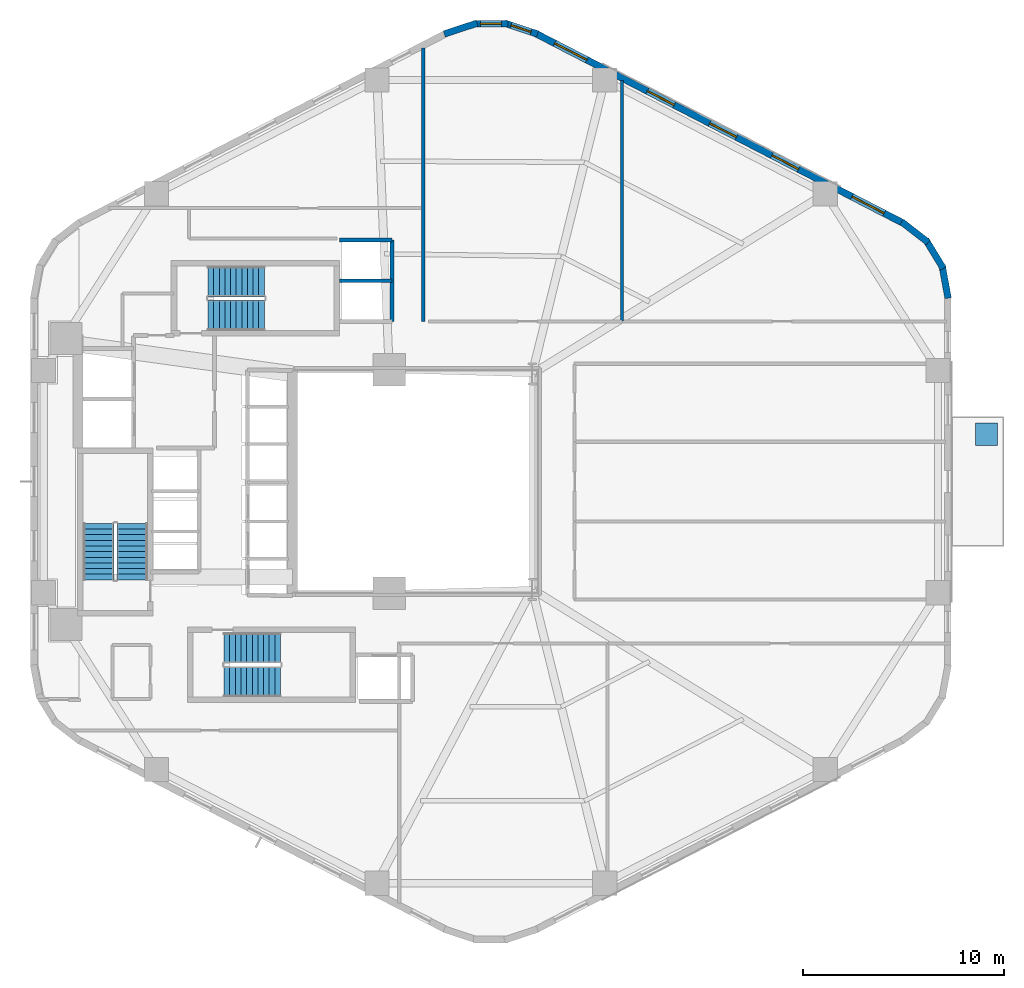
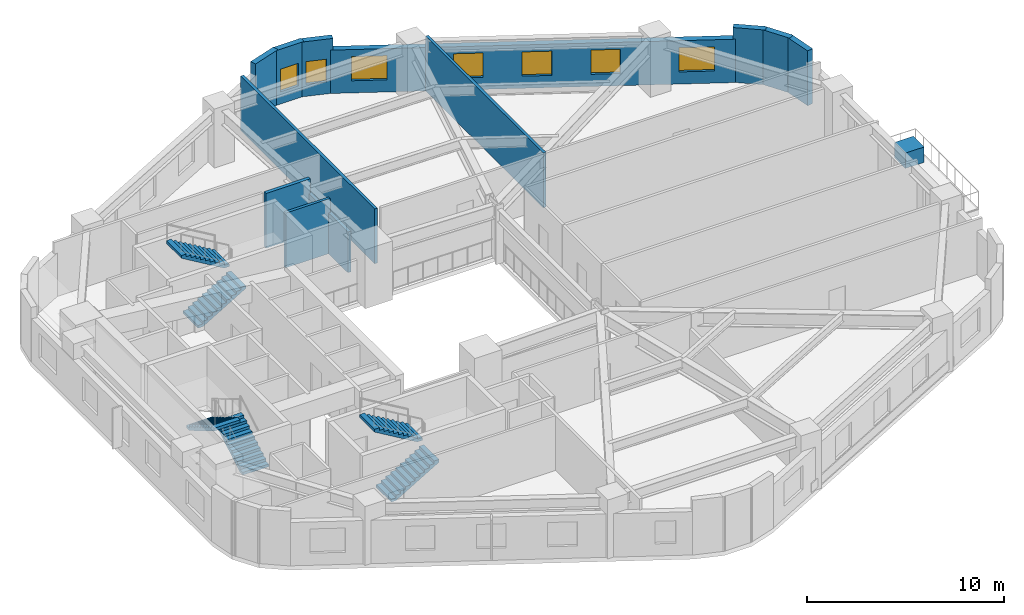
# One storey, part 5 of 7: 12 walls, 7 windows, 6 stair flights, 1 discrete accessory, 7 openings, 3 elements without a shape of their own.
"""IFC4 building model written with IfcOpenShell, lengths in metres."""

from ifc_helpers import new_model, si_unit, direction, frame, frame_2d, origin, origin_2d, place, context, subcontext, project, spatial, polyline, rectangle, outline, extrude, material, layer, layer_set, type_object, element, fill, aggregate, save


model = new_model("IFC4")

# Units and contexts
model_context = context("Model", 3, precision=1e-05, world=origin(), true_north=direction((0.0, 1.0)))
body_context = subcontext(model_context, "Body", "Model", "MODEL_VIEW")
ifc_project = project(units=[si_unit("LENGTHUNIT", "METRE"), si_unit("AREAUNIT", "SQUARE_METRE"), si_unit("VOLUMEUNIT", "CUBIC_METRE"), si_unit("PLANEANGLEUNIT", "RADIAN"), si_unit("MASSUNIT", "GRAM", prefix="KILO"), si_unit("THERMODYNAMICTEMPERATUREUNIT", "KELVIN"), si_unit("POWERUNIT", "WATT")], contexts=[model_context])

# Site, building, storey
site_placement = place(None, origin())
site = spatial("IfcSite", under=ifc_project, at=site_placement, CompositionType="ELEMENT")
building_placement = place(site_placement, origin())
building = spatial("IfcBuilding", under=site, at=building_placement, Name="Skarre Station Tower", CompositionType="ELEMENT")
storey_placement = place(building_placement, frame((0.0, 0.0, 70.800048828125)))
storey = spatial("IfcBuildingStorey", under=building, at=storey_placement, Name="L18", CompositionType="ELEMENT", Elevation=70.800048828125)

# Wall, openings, windows
ifc_material_1 = material(Name="Precast concrete C45/55", Category="concrete")
ifc_layer_1 = layer(ifc_material_1, 0.340087890625, Name="Precast concrete C45/55")
ifc_layer_set_1 = layer_set([ifc_layer_1], Name="Precast concrete C45/55")
wall_type_1 = type_object("IfcWallType", Name="Nordic Honed Precast Facet Wall 340", PredefinedType="STANDARD", material=ifc_layer_set_1)
wall_1_placement = place(storey_placement, frame((39.631103515625, 46.257080078125, 0.0), z_axis=(0.0, 0.0, 1.0), x_axis=(0.888634413993, -0.458616264721, 0.0)))
wall_1 = element("IfcWall", 1, at=wall_1_placement, inside=storey, type_object=wall_type_1, Name="L18 Facet 0 Nordic Precast Masonry Wall", PredefinedType="STANDARD", context=body_context, shape_type="SweptSolid", body=[
    extrude(rectangle(XDim=20.53125, YDim=0.340087890625, at=frame_2d((10.265625, 0.0))), origin(), (0.0, 0.0, 1.0), 2.683837890625),
])
opening_1_placement = place(wall_1_placement, frame((1.05810546875, 0.0, 0.75)))
opening_1 = element("IfcOpeningElement", 2, at=opening_1_placement, cuts=wall_1, Name="Opening WN-Z1A", PredefinedType="OPENING", context=body_context, shape_type="SweptSolid", body=[
    extrude(rectangle(XDim=1.800048828125, YDim=1.5, at=frame_2d((0.89990234375, 0.75))), frame((0.0, 0.179931640625, 0.0), z_axis=(0.0, -1.0, 0.0), x_axis=(1.0, 0.0, 0.0)), (0.0, 0.0, 1.0), 0.360107421875),
])
opening_2_placement = place(wall_1_placement, frame((6.236083984375, 0.0, 0.75)))
opening_2 = element("IfcOpeningElement", 3, at=opening_2_placement, cuts=wall_1, Name="Opening WN-Z1B", PredefinedType="OPENING", context=body_context, shape_type="SweptSolid", body=[
    extrude(rectangle(XDim=1.5, YDim=1.5, at=frame_2d((0.75, 0.75))), frame((0.0, 0.179931640625, 0.0), z_axis=(0.0, -1.0, 0.0), x_axis=(1.0, 0.0, 0.0)), (0.0, 0.0, 1.0), 0.360107421875),
])
opening_3_placement = place(wall_1_placement, frame((9.716064453125, 0.0, 0.75)))
opening_3 = element("IfcOpeningElement", 4, at=opening_3_placement, cuts=wall_1, Name="Opening WN-Z1B", PredefinedType="OPENING", context=body_context, shape_type="SweptSolid", body=[
    extrude(rectangle(XDim=1.5, YDim=1.5, at=frame_2d((0.75, 0.75))), frame((0.0, 0.179931640625, 0.0), z_axis=(0.0, -1.0, 0.0), x_axis=(1.0, 0.0, 0.0)), (0.0, 0.0, 1.0), 0.360107421875),
])
opening_4_placement = place(wall_1_placement, frame((13.195068359375, 0.0, 0.75)))
opening_4 = element("IfcOpeningElement", 5, at=opening_4_placement, cuts=wall_1, Name="Opening WN-Z1B", PredefinedType="OPENING", context=body_context, shape_type="SweptSolid", body=[
    extrude(rectangle(XDim=1.5, YDim=1.5, at=frame_2d((0.75, 0.75))), frame((0.0, 0.179931640625, 0.0), z_axis=(0.0, -1.0, 0.0), x_axis=(1.0, 0.0, 0.0)), (0.0, 0.0, 1.0), 0.360107421875),
])
opening_5_placement = place(wall_1_placement, frame((17.673095703125, 0.0, 0.75)))
opening_5 = element("IfcOpeningElement", 6, at=opening_5_placement, cuts=wall_1, Name="Opening WN-Z1A", PredefinedType="OPENING", context=body_context, shape_type="SweptSolid", body=[
    extrude(rectangle(XDim=1.800048828125, YDim=1.5, at=frame_2d((0.89990234375, 0.75))), frame((0.0, 0.179931640625, 0.0), z_axis=(0.0, -1.0, 0.0), x_axis=(1.0, 0.0, 0.0)), (0.0, 0.0, 1.0), 0.360107421875),
])
ifc_material_2 = material(Name="Low-Iron Triple Glazing with Bronze Anodized Frame", Category="glass")
window_type_1 = type_object("IfcWindowType", Name="Nordic Punched Triple-Glazed Window 1500x1500", PartitioningType="SINGLE_PANEL", PredefinedType="WINDOW", material=ifc_material_2)
window_1_placement = place(opening_2_placement, origin())
window_1 = element("IfcWindow", 7, at=window_1_placement, inside=storey, type_object=window_type_1, Name="L18 Facade Window WL-FAC-L18-F0-2", OverallHeight=1.5, OverallWidth=1.5, PartitioningType="SINGLE_PANEL", PredefinedType="WINDOW", context=body_context, shape_type="SweptSolid", body=[
    extrude(rectangle(XDim=1.5, YDim=1.5, at=frame_2d((0.75, 0.75))), frame((0.0, 0.030029296875, 0.0), z_axis=(0.0, -1.0, 0.0), x_axis=(1.0, 0.0, 0.0)), (0.0, 0.0, 1.0), 0.06005859375),
])
fill(opening_2, window_1)
window_2_placement = place(opening_3_placement, origin())
window_2 = element("IfcWindow", 8, at=window_2_placement, inside=storey, type_object=window_type_1, Name="L18 Facade Window WL-FAC-L18-F0-3", OverallHeight=1.5, OverallWidth=1.5, PartitioningType="SINGLE_PANEL", PredefinedType="WINDOW", context=body_context, shape_type="SweptSolid", body=[
    extrude(rectangle(XDim=1.5, YDim=1.5, at=frame_2d((0.75, 0.75))), frame((0.0, 0.030029296875, 0.0), z_axis=(0.0, -1.0, 0.0), x_axis=(1.0, 0.0, 0.0)), (0.0, 0.0, 1.0), 0.06005859375),
])
fill(opening_3, window_2)
window_3_placement = place(opening_4_placement, origin())
window_3 = element("IfcWindow", 9, at=window_3_placement, inside=storey, type_object=window_type_1, Name="L18 Facade Window WL-FAC-L18-F0-4", OverallHeight=1.5, OverallWidth=1.5, PartitioningType="SINGLE_PANEL", PredefinedType="WINDOW", context=body_context, shape_type="SweptSolid", body=[
    extrude(rectangle(XDim=1.5, YDim=1.5, at=frame_2d((0.75, 0.75))), frame((0.0, 0.030029296875, 0.0), z_axis=(0.0, -1.0, 0.0), x_axis=(1.0, 0.0, 0.0)), (0.0, 0.0, 1.0), 0.06005859375),
])
fill(opening_4, window_3)
window_type_2 = type_object("IfcWindowType", Name="Nordic Punched Triple-Glazed Window 1800x1500", PartitioningType="SINGLE_PANEL", PredefinedType="WINDOW", material=ifc_material_2)
window_4_placement = place(opening_1_placement, origin())
window_4 = element("IfcWindow", 10, at=window_4_placement, inside=storey, type_object=window_type_2, Name="L18 Facade Window WL-FAC-L18-F0-1", OverallHeight=1.5, OverallWidth=1.800048828125, PartitioningType="SINGLE_PANEL", PredefinedType="WINDOW", context=body_context, shape_type="SweptSolid", body=[
    extrude(rectangle(XDim=1.800048828125, YDim=1.5, at=frame_2d((0.89990234375, 0.75))), frame((0.0, 0.030029296875, 0.0), z_axis=(0.0, -1.0, 0.0), x_axis=(1.0, 0.0, 0.0)), (0.0, 0.0, 1.0), 0.06005859375),
])
fill(opening_1, window_4)
window_5_placement = place(opening_5_placement, origin())
window_5 = element("IfcWindow", 11, at=window_5_placement, inside=storey, type_object=window_type_2, Name="L18 Facade Window WL-FAC-L18-F0-5", OverallHeight=1.5, OverallWidth=1.800048828125, PartitioningType="SINGLE_PANEL", PredefinedType="WINDOW", context=body_context, shape_type="SweptSolid", body=[
    extrude(rectangle(XDim=1.800048828125, YDim=1.5, at=frame_2d((0.89990234375, 0.75))), frame((0.0, 0.030029296875, 0.0), z_axis=(0.0, -1.0, 0.0), x_axis=(1.0, 0.0, 0.0)), (0.0, 0.0, 1.0), 0.06005859375),
])
fill(opening_5, window_5)

# Walls
ifc_layer_2 = layer(ifc_material_1, 0.330078125, Name="Precast concrete C45/55")
ifc_layer_set_2 = layer_set([ifc_layer_2], Name="Precast concrete C45/55")
wall_type_2 = type_object("IfcWallType", Name="Nordic Rounded Corner Precast Wall 330", PredefinedType="STANDARD", material=ifc_layer_set_2)
wall_2_placement = place(storey_placement, frame((57.802001953125, 36.90087890625, 0.0), z_axis=(0.0, 0.0, 1.0), x_axis=(0.790691856293, -0.61221433207, 0.0)))
element("IfcWall", 12, at=wall_2_placement, inside=storey, type_object=wall_type_2, Name="L18 Rounded Corner Precast Wall F0-1", PredefinedType="STANDARD", context=body_context, shape_type="SweptSolid", body=[
    extrude(rectangle(XDim=1.67578125, YDim=0.330078125, at=frame_2d((0.837890625, 0.0))), origin(), (0.0, 0.0, 1.0), 3.389892578125),
])
wall_3_placement = place(storey_placement, frame((59.001953125, 36.014892578125, 0.0), z_axis=(0.0, 0.0, 1.0), x_axis=(0.520584129191, -0.853810379671, 0.0)))
element("IfcWall", 13, at=wall_3_placement, inside=storey, type_object=wall_type_2, Name="L18 Rounded Corner Precast Wall F0-2", PredefinedType="STANDARD", context=body_context, shape_type="SweptSolid", body=[
    extrude(rectangle(XDim=1.677001953125, YDim=0.330078125, at=frame_2d((0.83837890625, 0.0))), origin(), (0.0, 0.0, 1.0), 3.389892578125),
])
wall_4_placement = place(storey_placement, frame((59.80810546875, 34.758056640625, 0.0), z_axis=(0.0, 0.0, 1.0), x_axis=(0.181714143354, -0.983351397063, 0.0)))
element("IfcWall", 14, at=wall_4_placement, inside=storey, type_object=wall_type_2, Name="L18 Rounded Corner Precast Wall F0-3", PredefinedType="STANDARD", context=body_context, shape_type="SweptSolid", body=[
    extrude(rectangle(XDim=1.677978515625, YDim=0.330078125, at=frame_2d((0.8388671875, 0.0))), origin(), (0.0, 0.0, 1.0), 3.389892578125),
])
wall_5_placement = place(storey_placement, frame((35.0810546875, 46.23095703125, 0.0), z_axis=(0.0, 0.0, 1.0), x_axis=(0.94976901097, 0.312951794691, 0.0)))
element("IfcWall", 15, at=wall_5_placement, inside=storey, type_object=wall_type_2, Name="L18 Rounded Corner Precast Wall F1-1", PredefinedType="STANDARD", context=body_context, shape_type="SweptSolid", body=[
    extrude(rectangle(XDim=1.722412109375, YDim=0.330078125, at=frame_2d((0.861328125, 0.0))), origin(), (0.0, 0.0, 1.0), 3.389892578125),
])

# Wall, opening, window
wall_6_placement = place(storey_placement, frame((36.5390625, 46.740966796875, 0.0), z_axis=(0.0, 0.0, 1.0), x_axis=(1.0, 0.0, 0.0)))
wall_6 = element("IfcWall", 16, at=wall_6_placement, inside=storey, type_object=wall_type_2, Name="L18 Rounded Corner Precast Wall F1-2", PredefinedType="STANDARD", context=body_context, shape_type="SweptSolid", body=[
    extrude(rectangle(XDim=1.721923828125, YDim=0.330078125, at=frame_2d((0.86083984375, 0.0))), origin(), (0.0, 0.0, 1.0), 3.389892578125),
])
opening_6_placement = place(wall_6_placement, frame((0.3359375, 0.0, 0.75)))
opening_6 = element("IfcOpeningElement", 17, at=opening_6_placement, cuts=wall_6, Name="Opening WN-SLT", PredefinedType="OPENING", context=body_context, shape_type="SweptSolid", body=[
    extrude(rectangle(XDim=1.050048828125, YDim=1.39990234375, at=frame_2d((0.52490234375, 0.699951171875))), frame((0.0, 0.175048828125, 0.0), z_axis=(0.0, -1.0, 0.0), x_axis=(1.0, 0.0, 0.0)), (0.0, 0.0, 1.0), 0.35009765625),
])
window_type_3 = type_object("IfcWindowType", Name="Nordic Corner Slot Window 1050x1400", PartitioningType="SINGLE_PANEL", PredefinedType="WINDOW", material=ifc_material_2)
window_6_placement = place(opening_6_placement, origin())
window_6 = element("IfcWindow", 18, at=window_6_placement, inside=storey, type_object=window_type_3, Name="L18 Apex Corner Slot Window F1-2", OverallHeight=1.39990234375, OverallWidth=1.050048828125, PartitioningType="SINGLE_PANEL", PredefinedType="WINDOW", context=body_context, shape_type="SweptSolid", body=[
    extrude(rectangle(XDim=1.050048828125, YDim=1.39990234375, at=frame_2d((0.52490234375, 0.699951171875))), frame((0.0, 0.030029296875, 0.0), z_axis=(0.0, -1.0, 0.0), x_axis=(1.0, 0.0, 0.0)), (0.0, 0.0, 1.0), 0.06005859375),
])
fill(opening_6, window_6)

wall_7_placement = place(storey_placement, frame((38.0830078125, 46.77001953125, 0.0), z_axis=(0.0, 0.0, 1.0), x_axis=(0.94976901097, -0.312951794691, 0.0)))
wall_7 = element("IfcWall", 19, at=wall_7_placement, inside=storey, type_object=wall_type_2, Name="L18 Rounded Corner Precast Wall F1-3", PredefinedType="STANDARD", context=body_context, shape_type="SweptSolid", body=[
    extrude(rectangle(XDim=1.722412109375, YDim=0.330078125, at=frame_2d((0.861328125, 0.0))), origin(), (0.0, 0.0, 1.0), 3.389892578125),
])
opening_7_placement = place(wall_7_placement, frame((0.3359375, 0.0, 0.75)))
opening_7 = element("IfcOpeningElement", 20, at=opening_7_placement, cuts=wall_7, Name="Opening WN-SLT", PredefinedType="OPENING", context=body_context, shape_type="SweptSolid", body=[
    extrude(rectangle(XDim=1.050048828125, YDim=1.39990234375, at=frame_2d((0.52490234375, 0.699951171875))), frame((0.0, 0.175048828125, 0.0), z_axis=(0.0, -1.0, 0.0), x_axis=(1.0, 0.0, 0.0)), (0.0, 0.0, 1.0), 0.35009765625),
])
window_7_placement = place(opening_7_placement, origin())
window_7 = element("IfcWindow", 21, at=window_7_placement, inside=storey, type_object=window_type_3, Name="L18 Apex Corner Slot Window F1-3", OverallHeight=1.39990234375, OverallWidth=1.050048828125, PartitioningType="SINGLE_PANEL", PredefinedType="WINDOW", context=body_context, shape_type="SweptSolid", body=[
    extrude(rectangle(XDim=1.050048828125, YDim=1.39990234375, at=frame_2d((0.52490234375, 0.699951171875))), frame((0.0, 0.030029296875, 0.0), z_axis=(0.0, -1.0, 0.0), x_axis=(1.0, 0.0, 0.0)), (0.0, 0.0, 1.0), 0.06005859375),
])
fill(opening_7, window_7)

# Walls
ifc_material_3 = material(Name="Gypsum Concrete Shaft Assembly C30/37", Category="concrete")
ifc_layer_3 = layer(ifc_material_3, 0.199951171875, Name="Gypsum Concrete Shaft Assembly C30/37")
ifc_layer_set_3 = layer_set([ifc_layer_3], Name="Gypsum Concrete Shaft Assembly C30/37")
wall_type_3 = type_object("IfcWallType", Name="Shaft & Core Fire Partition 200", PredefinedType="PARTITIONING", material=ifc_layer_set_3)
wall_8_placement = place(storey_placement, frame((32.47998046875, 31.949951171875, 0.0), z_axis=(0.0, 0.0, 1.0), x_axis=(0.0, 1.0, 0.0)))
element("IfcWall", 22, at=wall_8_placement, inside=storey, type_object=wall_type_3, Name="L18 Interior Partition WL-PT-L18-EX-E", PredefinedType="PARTITIONING", context=body_context, shape_type="SweptSolid", body=[
    extrude(rectangle(XDim=4.050048828125, YDim=0.199951171875, at=frame_2d((2.02490234375, 0.0))), origin(), (0.0, 0.0, 1.0), 2.512939453125),
])
wall_9_placement = place(storey_placement, frame((29.8798828125, 36.0, 0.0), z_axis=(0.0, 0.0, 1.0), x_axis=(1.0, 0.0, 0.0)))
element("IfcWall", 23, at=wall_9_placement, inside=storey, type_object=wall_type_3, Name="L18 Interior Partition WL-PT-L18-EX-N", PredefinedType="PARTITIONING", context=body_context, shape_type="SweptSolid", body=[
    extrude(rectangle(XDim=2.60009765625, YDim=0.199951171875, at=frame_2d((1.300048828125, 0.0))), origin(), (0.0, 0.0, 1.0), 3.389892578125),
])
wall_10_placement = place(storey_placement, frame((29.875, 33.97998046875, 0.0), z_axis=(0.0, 0.0, 1.0), x_axis=(1.0, 0.0, 0.0)))
element("IfcWall", 24, at=wall_10_placement, inside=storey, type_object=wall_type_3, Name="L18 Interior Partition WL-PT-L18-EX-DIV", PredefinedType="PARTITIONING", context=body_context, shape_type="SweptSolid", body=[
    extrude(rectangle(XDim=2.60498046875, YDim=0.159912109375, at=frame_2d((1.302490234375, 0.0))), origin(), (0.0, 0.0, 1.0), 3.389892578125),
])
ifc_material_4 = material(Name="Acoustic Steel-Stud Gypsum Partition", Category="steel")
ifc_layer_4 = layer(ifc_material_4, 0.1650390625, Name="Acoustic Steel-Stud Gypsum Partition")
ifc_layer_set_4 = layer_set([ifc_layer_4], Name="Acoustic Steel-Stud Gypsum Partition")
wall_type_4 = type_object("IfcWallType", Name="Suite Demising Acoustic Partition 165", PredefinedType="PARTITIONING", material=ifc_layer_set_4)
wall_11_placement = place(storey_placement, frame((34.0400390625, 31.9599609375, 0.0), z_axis=(0.0, 0.0, 1.0), x_axis=(0.0, 1.0, 0.0)))
element("IfcWall", 25, at=wall_11_placement, inside=storey, type_object=wall_type_4, Name="L18 Interior Partition WL-PT-L18-NW-WBND", PredefinedType="PARTITIONING", context=body_context, shape_type="SweptSolid", body=[
    extrude(rectangle(XDim=13.5791015625, YDim=0.1650390625, at=frame_2d((6.78955078125, 0.0))), origin(), (0.0, 0.0, 1.0), 3.389892578125),
])
wall_12_placement = place(storey_placement, frame((43.916015625, 31.969970703125, 0.0), z_axis=(0.0, 0.0, 1.0), x_axis=(0.0, 1.0, 0.0)))
element("IfcWall", 26, at=wall_12_placement, inside=storey, type_object=wall_type_4, Name="L18 Interior Partition WL-PT-L18-NW-P1", PredefinedType="PARTITIONING", context=body_context, shape_type="SweptSolid", body=[
    extrude(rectangle(XDim=11.93994140625, YDim=0.1650390625, at=frame_2d((5.969970703125, 0.0))), origin(), (0.0, 0.0, 1.0), 3.389892578125),
])

# Stair, stair flights
ifc_material_5 = material(Name="Concrete C40/50", Category="concrete")
stair_type_1 = type_object("IfcStairType", Name="Reinforced Concrete Exit Stair ST-1", PredefinedType="HALF_TURN_STAIR", material=ifc_material_5)
stair_1_placement = place(storey_placement, origin())
stair_1 = element("IfcStair", 27, at=stair_1_placement, inside=storey, type_object=stair_type_1, Name="L18 Core Exit Stair ST-1", PredefinedType="HALF_TURN_STAIR")
stair_flight_type_1 = type_object("IfcStairFlightType", Name="Reinforced Concrete Stair Flight ST-1", PredefinedType="STRAIGHT", material=ifc_material_5)
stair_flight_1_placement = place(storey_placement, frame((19.590087890625, 19.1201171875, 0.0), z_axis=(0.0, 0.0, 1.0), x_axis=(0.0, 1.0, 0.0)))
stair_flight_1 = element("IfcStairFlight", 28, at=stair_flight_1_placement, type_object=stair_flight_type_1, Name="ST-1 flight 1", NumberOfRisers=11, NumberOfTreads=10, PredefinedType="STRAIGHT", RiserHeight=0.165909091, TreadLength=0.28, context=body_context, shape_type="SweptSolid", body=[
    extrude(outline(polyline([(0.0, 0.0), (0.0, 0.166015625), (0.280029296875, 0.166015625), (0.280029296875, 0.331787109375), (0.56005859375, 0.331787109375), (0.56005859375, 0.497802734375), (0.840087890625, 0.497802734375), (0.840087890625, 0.66357421875), (1.1201171875, 0.66357421875), (1.1201171875, 0.82958984375), (1.39990234375, 0.82958984375), (1.39990234375, 0.995361328125), (1.679931640625, 0.995361328125), (1.679931640625, 1.161376953125), (1.9599609375, 1.161376953125), (1.9599609375, 1.327392578125), (2.239990234375, 1.327392578125), (2.239990234375, 1.4931640625), (2.52001953125, 1.4931640625), (2.52001953125, 1.6591796875), (2.800048828125, 1.6591796875), (2.800048828125, 1.824951171875), (2.800048828125, 1.48486328125), (0.2939453125, 0.0), (0.0, 0.0)])), frame((0.0, 0.760009765625, 0.0), z_axis=(0.0, -1.0, 0.0), x_axis=(1.0, 0.0, 0.0)), (0.0, 0.0, 1.0), 1.52001953125),
])
stair_flight_2_placement = place(storey_placement, frame((17.909912109375, 21.919921875, 1.824951171875), z_axis=(0.0, 0.0, 1.0), x_axis=(0.0, -1.0, 0.0)))
stair_flight_2 = element("IfcStairFlight", 29, at=stair_flight_2_placement, type_object=stair_flight_type_1, Name="ST-1 flight 2", NumberOfRisers=11, NumberOfTreads=10, PredefinedType="STRAIGHT", RiserHeight=0.165909091, TreadLength=0.28, context=body_context, shape_type="SweptSolid", body=[
    extrude(outline(polyline([(0.0, 0.0), (0.0, 0.166015625), (0.280029296875, 0.166015625), (0.280029296875, 0.331787109375), (0.56005859375, 0.331787109375), (0.56005859375, 0.497802734375), (0.840087890625, 0.497802734375), (0.840087890625, 0.66357421875), (1.1201171875, 0.66357421875), (1.1201171875, 0.82958984375), (1.39990234375, 0.82958984375), (1.39990234375, 0.995361328125), (1.679931640625, 0.995361328125), (1.679931640625, 1.161376953125), (1.9599609375, 1.161376953125), (1.9599609375, 1.327392578125), (2.239990234375, 1.327392578125), (2.239990234375, 1.4931640625), (2.52001953125, 1.4931640625), (2.52001953125, 1.6591796875), (2.800048828125, 1.6591796875), (2.800048828125, 1.824951171875), (2.800048828125, 1.48486328125), (0.2939453125, 0.0), (0.0, 0.0)])), frame((0.0, 0.760009765625, 0.0), z_axis=(0.0, -1.0, 0.0), x_axis=(1.0, 0.0, 0.0)), (0.0, 0.0, 1.0), 1.52001953125),
])
aggregate(stair_1, [stair_flight_1, stair_flight_2])

stair_type_2 = type_object("IfcStairType", Name="Reinforced Concrete Exit Stair ST-2", PredefinedType="HALF_TURN_STAIR", material=ifc_material_5)
stair_2_placement = place(storey_placement, origin())
stair_2 = element("IfcStair", 30, at=stair_2_placement, inside=storey, type_object=stair_type_2, Name="L18 Core Exit Stair ST-2", PredefinedType="HALF_TURN_STAIR")
stair_flight_type_2 = type_object("IfcStairFlightType", Name="Reinforced Concrete Stair Flight ST-2", PredefinedType="STRAIGHT", material=ifc_material_5)
stair_flight_3_placement = place(storey_placement, frame((24.14990234375, 14.06005859375, 0.0), z_axis=(0.0, 0.0, 1.0), x_axis=(1.0, 0.0, 0.0)))
stair_flight_3 = element("IfcStairFlight", 31, at=stair_flight_3_placement, type_object=stair_flight_type_2, Name="ST-2 flight 1", NumberOfRisers=11, NumberOfTreads=10, PredefinedType="STRAIGHT", RiserHeight=0.165909091, TreadLength=0.28, context=body_context, shape_type="SweptSolid", body=[
    extrude(outline(polyline([(0.0, 0.0), (0.0, 0.166015625), (0.280029296875, 0.166015625), (0.280029296875, 0.331787109375), (0.56005859375, 0.331787109375), (0.56005859375, 0.497802734375), (0.840087890625, 0.497802734375), (0.840087890625, 0.66357421875), (1.1201171875, 0.66357421875), (1.1201171875, 0.82958984375), (1.39990234375, 0.82958984375), (1.39990234375, 0.995361328125), (1.679931640625, 0.995361328125), (1.679931640625, 1.161376953125), (1.9599609375, 1.161376953125), (1.9599609375, 1.327392578125), (2.239990234375, 1.327392578125), (2.239990234375, 1.4931640625), (2.52001953125, 1.4931640625), (2.52001953125, 1.6591796875), (2.800048828125, 1.6591796875), (2.800048828125, 1.824951171875), (2.800048828125, 1.48486328125), (0.2939453125, 0.0), (0.0, 0.0)])), frame((0.0, 0.760009765625, 0.0), z_axis=(0.0, -1.0, 0.0), x_axis=(1.0, 0.0, 0.0)), (0.0, 0.0, 1.0), 1.52001953125),
])
stair_flight_4_placement = place(storey_placement, frame((26.949951171875, 15.739990234375, 1.824951171875), z_axis=(0.0, 0.0, 1.0), x_axis=(-1.0, 0.0, 0.0)))
stair_flight_4 = element("IfcStairFlight", 32, at=stair_flight_4_placement, type_object=stair_flight_type_2, Name="ST-2 flight 2", NumberOfRisers=11, NumberOfTreads=10, PredefinedType="STRAIGHT", RiserHeight=0.165909091, TreadLength=0.28, context=body_context, shape_type="SweptSolid", body=[
    extrude(outline(polyline([(0.0, 0.0), (0.0, 0.166015625), (0.280029296875, 0.166015625), (0.280029296875, 0.331787109375), (0.56005859375, 0.331787109375), (0.56005859375, 0.497802734375), (0.840087890625, 0.497802734375), (0.840087890625, 0.66357421875), (1.1201171875, 0.66357421875), (1.1201171875, 0.82958984375), (1.39990234375, 0.82958984375), (1.39990234375, 0.995361328125), (1.679931640625, 0.995361328125), (1.679931640625, 1.161376953125), (1.9599609375, 1.161376953125), (1.9599609375, 1.327392578125), (2.239990234375, 1.327392578125), (2.239990234375, 1.4931640625), (2.52001953125, 1.4931640625), (2.52001953125, 1.6591796875), (2.800048828125, 1.6591796875), (2.800048828125, 1.824951171875), (2.800048828125, 1.48486328125), (0.2939453125, 0.0), (0.0, 0.0)])), frame((0.0, 0.760009765625, 0.0), z_axis=(0.0, -1.0, 0.0), x_axis=(1.0, 0.0, 0.0)), (0.0, 0.0, 1.0), 1.52001953125),
])
aggregate(stair_2, [stair_flight_3, stair_flight_4])

stair_type_3 = type_object("IfcStairType", Name="Reinforced Concrete Exit Stair ST-3", PredefinedType="HALF_TURN_STAIR", material=ifc_material_5)
stair_3_placement = place(storey_placement, origin())
stair_3 = element("IfcStair", 33, at=stair_3_placement, inside=storey, type_object=stair_type_3, Name="L18 Core Exit Stair ST-3", PredefinedType="HALF_TURN_STAIR")
stair_flight_type_3 = type_object("IfcStairFlightType", Name="Reinforced Concrete Stair Flight ST-3", PredefinedType="STRAIGHT", material=ifc_material_5)
stair_flight_5_placement = place(storey_placement, frame((23.35009765625, 32.260009765625, 0.0), z_axis=(0.0, 0.0, 1.0), x_axis=(1.0, 0.0, 0.0)))
stair_flight_5 = element("IfcStairFlight", 34, at=stair_flight_5_placement, type_object=stair_flight_type_3, Name="ST-3 flight 1", NumberOfRisers=11, NumberOfTreads=10, PredefinedType="STRAIGHT", RiserHeight=0.165909091, TreadLength=0.28, context=body_context, shape_type="SweptSolid", body=[
    extrude(outline(polyline([(0.0, 0.0), (0.0, 0.166015625), (0.280029296875, 0.166015625), (0.280029296875, 0.331787109375), (0.56005859375, 0.331787109375), (0.56005859375, 0.497802734375), (0.840087890625, 0.497802734375), (0.840087890625, 0.66357421875), (1.1201171875, 0.66357421875), (1.1201171875, 0.82958984375), (1.39990234375, 0.82958984375), (1.39990234375, 0.995361328125), (1.679931640625, 0.995361328125), (1.679931640625, 1.161376953125), (1.9599609375, 1.161376953125), (1.9599609375, 1.327392578125), (2.239990234375, 1.327392578125), (2.239990234375, 1.4931640625), (2.52001953125, 1.4931640625), (2.52001953125, 1.6591796875), (2.800048828125, 1.6591796875), (2.800048828125, 1.824951171875), (2.800048828125, 1.48486328125), (0.2939453125, 0.0), (0.0, 0.0)])), frame((0.0, 0.760009765625, 0.0), z_axis=(0.0, -1.0, 0.0), x_axis=(1.0, 0.0, 0.0)), (0.0, 0.0, 1.0), 1.52001953125),
])
stair_flight_6_placement = place(storey_placement, frame((26.14990234375, 33.93994140625, 1.824951171875), z_axis=(0.0, 0.0, 1.0), x_axis=(-1.0, 0.0, 0.0)))
stair_flight_6 = element("IfcStairFlight", 35, at=stair_flight_6_placement, type_object=stair_flight_type_3, Name="ST-3 flight 2", NumberOfRisers=11, NumberOfTreads=10, PredefinedType="STRAIGHT", RiserHeight=0.165909091, TreadLength=0.28, context=body_context, shape_type="SweptSolid", body=[
    extrude(outline(polyline([(0.0, 0.0), (0.0, 0.166015625), (0.280029296875, 0.166015625), (0.280029296875, 0.331787109375), (0.56005859375, 0.331787109375), (0.56005859375, 0.497802734375), (0.840087890625, 0.497802734375), (0.840087890625, 0.66357421875), (1.1201171875, 0.66357421875), (1.1201171875, 0.82958984375), (1.39990234375, 0.82958984375), (1.39990234375, 0.995361328125), (1.679931640625, 0.995361328125), (1.679931640625, 1.161376953125), (1.9599609375, 1.161376953125), (1.9599609375, 1.327392578125), (2.239990234375, 1.327392578125), (2.239990234375, 1.4931640625), (2.52001953125, 1.4931640625), (2.52001953125, 1.6591796875), (2.800048828125, 1.6591796875), (2.800048828125, 1.824951171875), (2.800048828125, 1.48486328125), (0.2939453125, 0.0), (0.0, 0.0)])), frame((0.0, 0.760009765625, 0.0), z_axis=(0.0, -1.0, 0.0), x_axis=(1.0, 0.0, 0.0)), (0.0, 0.0, 1.0), 1.52001953125),
])
aggregate(stair_3, [stair_flight_5, stair_flight_6])

# Discrete accessory
discrete_accessory_type = type_object("IfcDiscreteAccessoryType", Name="Insulated Precast Tree Planter Trough 1100x1100x950", PredefinedType="USERDEFINED", material=ifc_material_1)
discrete_accessory_placement = place(storey_placement, frame((62.012939453125, 26.35009765625, 0.0), z_axis=(0.0, 0.0, 1.0), x_axis=(1.0, 0.0, 0.0)))
element("IfcDiscreteAccessory", 36, at=discrete_accessory_placement, inside=storey, type_object=discrete_accessory_type, Name="L18 TB-L18-F5 Insulated Precast Tree Planter Trough", ObjectType="PLANTER", PredefinedType="USERDEFINED", context=body_context, shape_type="SweptSolid", body=[
    extrude(rectangle(XDim=1.10009765625, YDim=1.10009765625, at=origin_2d()), origin(), (0.0, 0.0, 1.0), 0.949951171875),
])

save(model, "model.ifc")
